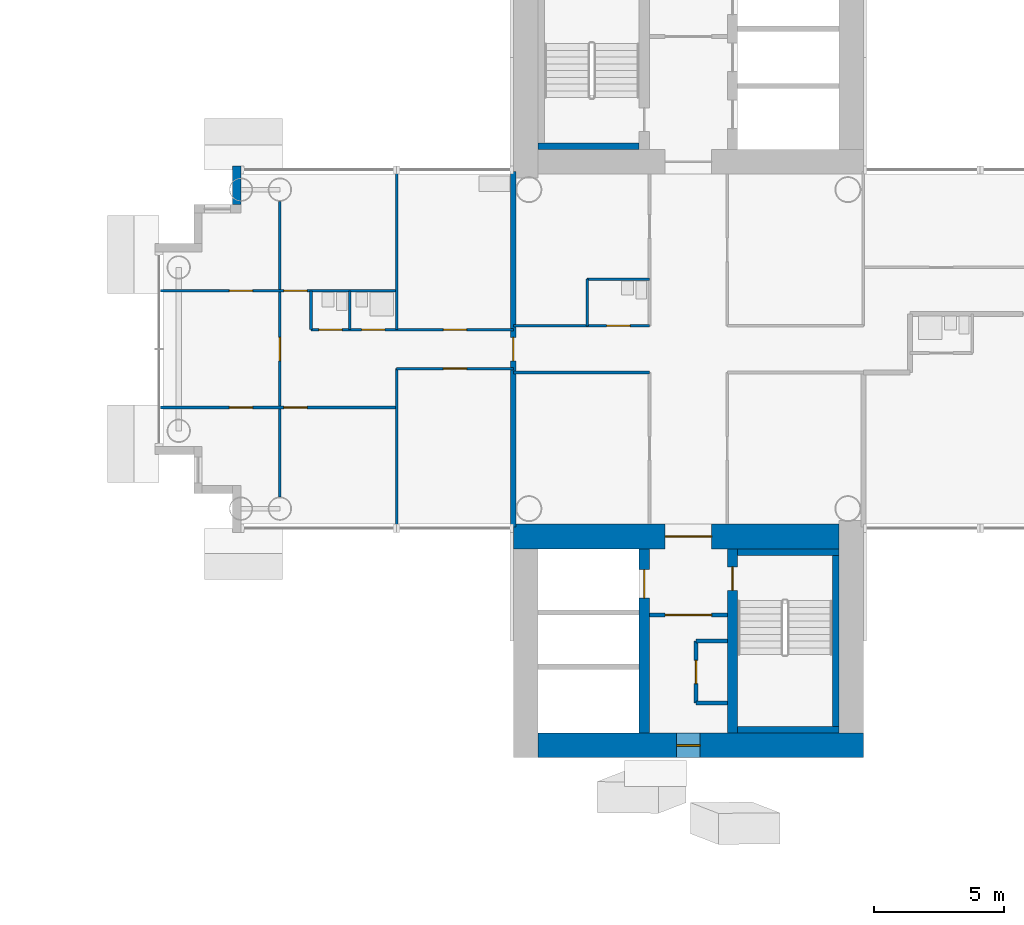
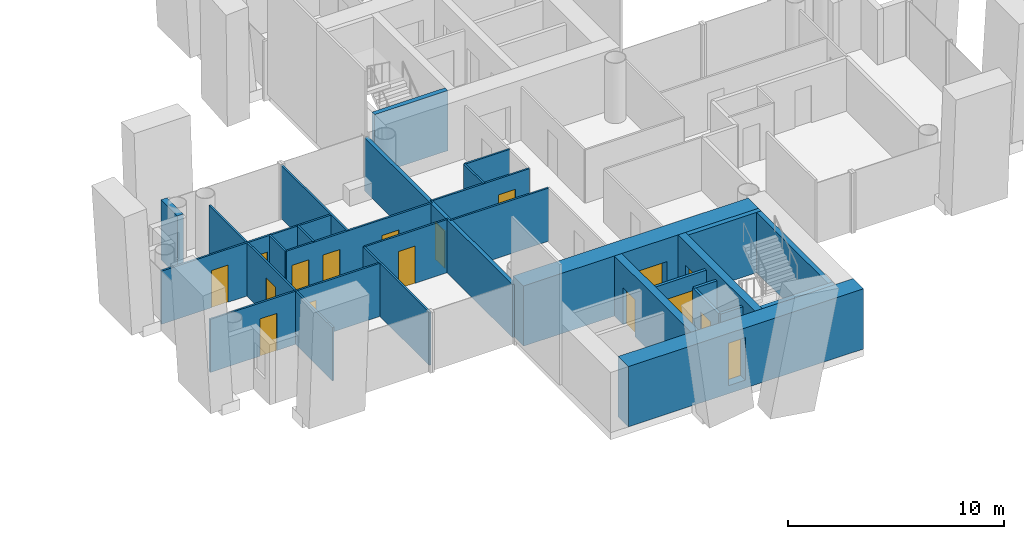
# One storey, part 12 of 21: 27 walls, 16 doors, 1 window, 17 openings.
"""IFC4 building model written with IfcOpenShell, lengths in metres."""

from ifc_helpers import new_model, si_unit, direction, frame, frame_2d, origin, place, context, subcontext, project, spatial, rectangle, extrude, material, layer, layer_set, type_object, element, fill, save


model = new_model("IFC4")

# Units and contexts
model_context = context("Model", 3, precision=1e-05, world=origin(), true_north=direction((0.0, 1.0)))
body_context = subcontext(model_context, "Body", "Model", "MODEL_VIEW")
ifc_project = project(units=[si_unit("LENGTHUNIT", "METRE"), si_unit("AREAUNIT", "SQUARE_METRE"), si_unit("VOLUMEUNIT", "CUBIC_METRE"), si_unit("PLANEANGLEUNIT", "RADIAN"), si_unit("MASSUNIT", "GRAM", prefix="KILO")], contexts=[model_context])

# Site, building, storey
site_placement = place(None, origin())
site = spatial("IfcSite", under=ifc_project, at=site_placement, CompositionType="ELEMENT")
building_placement = place(site_placement, origin())
building = spatial("IfcBuilding", under=site, at=building_placement, Name="Ipe Terrace Towers", CompositionType="ELEMENT")
storey_placement = place(building_placement, frame((0.0, 0.0, 107.199951171875)))
storey = spatial("IfcBuildingStorey", under=building, at=storey_placement, Name="L29", CompositionType="ELEMENT", Elevation=107.199951171875)

# Wall
ifc_material_1 = material(Name="Concrete C40/50 with buff precast cladding", Category="concrete")
ifc_layer_1 = layer(ifc_material_1, 0.320068359375)
ifc_layer_set_1 = layer_set([ifc_layer_1], Name="BUFF CLADDING WALL 320")
wall_type_1 = type_object("IfcWallType", Name="BUFF CLADDING WALL 320", PredefinedType="STANDARD", material=ifc_layer_set_1)
wall_1_placement = place(storey_placement, frame((18.590087890625, 7.070068359375, -0.300048828125), z_axis=(0.0, 0.0, 1.0), x_axis=(0.0, -1.0, 0.0)))
element("IfcWall", 1, at=wall_1_placement, inside=storey, type_object=wall_type_1, Name="T2-W-L29-30a wall", PredefinedType="STANDARD", context=body_context, shape_type="SweptSolid", body=[
    extrude(rectangle(XDim=1.5, YDim=0.320068359375, at=frame_2d((0.75, 0.0))), origin(), (0.0, 0.0, 1.0), 3.400146484375),
])

# Wall, openings, doors
ifc_material_2 = material(Name="Gypsum board partition", Category="plasterboard")
ifc_layer_2 = layer(ifc_material_2, 0.10009765625)
ifc_layer_set_2 = layer_set([ifc_layer_2], Name="Gypsum board partition 100 mm")
wall_type_2 = type_object("IfcWallType", Name="Gypsum board partition 100 mm", PredefinedType="PARTITIONING", material=ifc_layer_set_2)
wall_2_placement = place(storey_placement, frame((24.75, -2.25, 0.0), z_axis=(0.0, 0.0, 1.0), x_axis=(-1.0, 0.0, 0.0)))
wall_2 = element("IfcWall", 2, at=wall_2_placement, inside=storey, type_object=wall_type_2, Name="Gypsum board partition T2 L29 W01", PredefinedType="PARTITIONING", context=body_context, shape_type="SweptSolid", body=[
    extrude(rectangle(XDim=9.10009765625, YDim=0.10009765625, at=frame_2d((4.550048828125, 0.0))), origin(), (0.0, 0.0, 1.0), 3.0),
])
opening_1_placement = place(wall_2_placement, frame((3.449951171875, 0.0, 0.0)))
opening_1 = element("IfcOpeningElement", 3, at=opening_1_placement, cuts=wall_2, Name="Opening T2-Z2F-11", PredefinedType="OPENING", context=body_context, shape_type="SweptSolid", body=[
    extrude(rectangle(XDim=0.89990234375, YDim=2.10009765625, at=frame_2d((0.449951171875, 1.050048828125))), frame((0.0, 0.06005859375, 0.0), z_axis=(0.0, -1.0, 0.0), x_axis=(1.0, 0.0, 0.0)), (0.0, 0.0, 1.0), 0.1201171875),
])
opening_2_placement = place(wall_2_placement, frame((5.550048828125, 0.0, 0.0)))
opening_2 = element("IfcOpeningElement", 4, at=opening_2_placement, cuts=wall_2, Name="Opening T2-Z2F-14", PredefinedType="OPENING", context=body_context, shape_type="SweptSolid", body=[
    extrude(rectangle(XDim=0.89990234375, YDim=2.10009765625, at=frame_2d((0.449951171875, 1.050048828125))), frame((0.0, 0.06005859375, 0.0), z_axis=(0.0, -1.0, 0.0), x_axis=(1.0, 0.0, 0.0)), (0.0, 0.0, 1.0), 0.1201171875),
])
ifc_material_3 = material(Name="Timber door leaf", Category="wood")
door_type_1 = type_object("IfcDoorType", Name="Bedroom door 900 x 2100", OperationType="NOTDEFINED", PredefinedType="DOOR", material=ifc_material_3)
door_1_placement = place(opening_1_placement, origin())
door_1 = element("IfcDoor", 5, at=door_1_placement, inside=storey, type_object=door_type_1, Name="Bedroom door T2-Z2F-11", OperationType="SINGLE_SWING_RIGHT", OverallHeight=2.10009765625, OverallWidth=0.89990234375, PredefinedType="DOOR", context=body_context, shape_type="SweptSolid", body=[
    extrude(rectangle(XDim=0.89990234375, YDim=2.10009765625, at=frame_2d((0.449951171875, 1.050048828125))), frame((0.0, 0.02490234375, 0.0), z_axis=(0.0, -1.0, 0.0), x_axis=(1.0, 0.0, 0.0)), (0.0, 0.0, 1.0), 0.050048828125),
])
fill(opening_1, door_1)
door_2_placement = place(opening_2_placement, origin())
door_2 = element("IfcDoor", 6, at=door_2_placement, inside=storey, type_object=door_type_1, Name="Bedroom door T2-Z2F-14", OperationType="SINGLE_SWING_LEFT", OverallHeight=2.10009765625, OverallWidth=0.89990234375, PredefinedType="DOOR", context=body_context, shape_type="SweptSolid", body=[
    extrude(rectangle(XDim=0.89990234375, YDim=2.10009765625, at=frame_2d((0.449951171875, 1.050048828125))), frame((0.0, 0.02490234375, 0.0), z_axis=(0.0, -1.0, 0.0), x_axis=(1.0, 0.0, 0.0)), (0.0, 0.0, 1.0), 0.050048828125),
])
fill(opening_2, door_2)

# Wall
wall_3_placement = place(storey_placement, frame((34.5, -0.89990234375, 0.0), z_axis=(0.0, 0.0, 1.0), x_axis=(-1.0, 0.0, 0.0)))
element("IfcWall", 7, at=wall_3_placement, inside=storey, type_object=wall_type_2, Name="Gypsum board partition T2 L29 W03", PredefinedType="PARTITIONING", context=body_context, shape_type="SweptSolid", body=[
    extrude(rectangle(XDim=5.25, YDim=0.10009765625, at=frame_2d((2.625, 0.0))), origin(), (0.0, 0.0, 1.0), 3.0),
])

# Wall, opening, door
wall_4_placement = place(storey_placement, frame((29.25, -0.75, 0.0), z_axis=(0.0, 0.0, 1.0), x_axis=(-1.0, 0.0, 0.0)))
wall_4 = element("IfcWall", 8, at=wall_4_placement, inside=storey, type_object=wall_type_2, Name="Gypsum board partition T2 L29 W05", PredefinedType="PARTITIONING", context=body_context, shape_type="SweptSolid", body=[
    extrude(rectangle(XDim=4.5, YDim=0.10009765625, at=frame_2d((2.25, 0.0))), origin(), (0.0, 0.0, 1.0), 3.0),
])
opening_3_placement = place(wall_4_placement, frame((1.800048828125, 0.0, 0.0)))
opening_3 = element("IfcOpeningElement", 9, at=opening_3_placement, cuts=wall_4, Name="Opening T2-Z2F-06", PredefinedType="OPENING", context=body_context, shape_type="SweptSolid", body=[
    extrude(rectangle(XDim=0.89990234375, YDim=2.10009765625, at=frame_2d((0.449951171875, 1.050048828125))), frame((0.0, 0.06005859375, 0.0), z_axis=(0.0, -1.0, 0.0), x_axis=(1.0, 0.0, 0.0)), (0.0, 0.0, 1.0), 0.1201171875),
])
ifc_material_4 = material(Name="Timber door leaf", Category="wood")
door_type_2 = type_object("IfcDoorType", Name="Lounge door 900 x 2100", OperationType="NOTDEFINED", PredefinedType="DOOR", material=ifc_material_4)
door_3_placement = place(opening_3_placement, origin())
door_3 = element("IfcDoor", 10, at=door_3_placement, inside=storey, type_object=door_type_2, Name="Lounge door T2-Z2F-06", OperationType="SINGLE_SWING_LEFT", OverallHeight=2.10009765625, OverallWidth=0.89990234375, PredefinedType="DOOR", context=body_context, shape_type="SweptSolid", body=[
    extrude(rectangle(XDim=0.89990234375, YDim=2.10009765625, at=frame_2d((0.449951171875, 1.050048828125))), frame((0.0, 0.02490234375, 0.0), z_axis=(0.0, -1.0, 0.0), x_axis=(1.0, 0.0, 0.0)), (0.0, 0.0, 1.0), 0.050048828125),
])
fill(opening_3, door_3)

# Wall, openings, doors
wall_5_placement = place(storey_placement, frame((29.25, 0.75, 0.0), z_axis=(0.0, 0.0, 1.0), x_axis=(-1.0, 0.0, 0.0)))
wall_5 = element("IfcWall", 11, at=wall_5_placement, inside=storey, type_object=wall_type_2, Name="Gypsum board partition T2 L29 W07", PredefinedType="PARTITIONING", context=body_context, shape_type="SweptSolid", body=[
    extrude(rectangle(XDim=7.800048828125, YDim=0.10009765625, at=frame_2d((3.89990234375, 0.0))), origin(), (0.0, 0.0, 1.0), 3.0),
])
opening_4_placement = place(wall_5_placement, frame((1.800048828125, 0.0, 0.0)))
opening_4 = element("IfcOpeningElement", 12, at=opening_4_placement, cuts=wall_5, Name="Opening T2-Z2F-07", PredefinedType="OPENING", context=body_context, shape_type="SweptSolid", body=[
    extrude(rectangle(XDim=0.89990234375, YDim=2.10009765625, at=frame_2d((0.449951171875, 1.050048828125))), frame((0.0, 0.06005859375, 0.0), z_axis=(0.0, -1.0, 0.0), x_axis=(1.0, 0.0, 0.0)), (0.0, 0.0, 1.0), 0.1201171875),
])
opening_5_placement = place(wall_5_placement, frame((4.949951171875, 0.0, 0.0)))
opening_5 = element("IfcOpeningElement", 13, at=opening_5_placement, cuts=wall_5, Name="Opening T2-Z2F-09", PredefinedType="OPENING", context=body_context, shape_type="SweptSolid", body=[
    extrude(rectangle(XDim=0.89990234375, YDim=2.10009765625, at=frame_2d((0.449951171875, 1.050048828125))), frame((0.0, 0.06005859375, 0.0), z_axis=(0.0, -1.0, 0.0), x_axis=(1.0, 0.0, 0.0)), (0.0, 0.0, 1.0), 0.1201171875),
])
opening_6_placement = place(wall_5_placement, frame((6.60009765625, 0.0, 0.0)))
opening_6 = element("IfcOpeningElement", 14, at=opening_6_placement, cuts=wall_5, Name="Opening T2-Z2F-10", PredefinedType="OPENING", context=body_context, shape_type="SweptSolid", body=[
    extrude(rectangle(XDim=0.89990234375, YDim=2.10009765625, at=frame_2d((0.449951171875, 1.050048828125))), frame((0.0, 0.06005859375, 0.0), z_axis=(0.0, -1.0, 0.0), x_axis=(1.0, 0.0, 0.0)), (0.0, 0.0, 1.0), 0.1201171875),
])
ifc_material_5 = material(Name="Timber door leaf", Category="wood")
door_type_3 = type_object("IfcDoorType", Name="Bathroom door 900 x 2100", OperationType="NOTDEFINED", PredefinedType="DOOR", material=ifc_material_5)
door_4_placement = place(opening_5_placement, origin())
door_4 = element("IfcDoor", 15, at=door_4_placement, inside=storey, type_object=door_type_3, Name="Bathroom door T2-Z2F-09", OperationType="SINGLE_SWING_RIGHT", OverallHeight=2.10009765625, OverallWidth=0.89990234375, PredefinedType="DOOR", context=body_context, shape_type="SweptSolid", body=[
    extrude(rectangle(XDim=0.89990234375, YDim=2.10009765625, at=frame_2d((0.449951171875, 1.050048828125))), frame((0.0, 0.02490234375, 0.0), z_axis=(0.0, -1.0, 0.0), x_axis=(1.0, 0.0, 0.0)), (0.0, 0.0, 1.0), 0.050048828125),
])
fill(opening_5, door_4)
door_5_placement = place(opening_6_placement, origin())
door_5 = element("IfcDoor", 16, at=door_5_placement, inside=storey, type_object=door_type_3, Name="Bathroom door T2-Z2F-10", OperationType="SINGLE_SWING_RIGHT", OverallHeight=2.10009765625, OverallWidth=0.89990234375, PredefinedType="DOOR", context=body_context, shape_type="SweptSolid", body=[
    extrude(rectangle(XDim=0.89990234375, YDim=2.10009765625, at=frame_2d((0.449951171875, 1.050048828125))), frame((0.0, 0.02490234375, 0.0), z_axis=(0.0, -1.0, 0.0), x_axis=(1.0, 0.0, 0.0)), (0.0, 0.0, 1.0), 0.050048828125),
])
fill(opening_6, door_5)
door_6_placement = place(opening_4_placement, origin())
door_6 = element("IfcDoor", 17, at=door_6_placement, inside=storey, type_object=door_type_2, Name="Lounge door T2-Z2F-07", OperationType="SINGLE_SWING_LEFT", OverallHeight=2.10009765625, OverallWidth=0.89990234375, PredefinedType="DOOR", context=body_context, shape_type="SweptSolid", body=[
    extrude(rectangle(XDim=0.89990234375, YDim=2.10009765625, at=frame_2d((0.449951171875, 1.050048828125))), frame((0.0, 0.02490234375, 0.0), z_axis=(0.0, -1.0, 0.0), x_axis=(1.0, 0.0, 0.0)), (0.0, 0.0, 1.0), 0.050048828125),
])
fill(opening_4, door_6)

# Wall, opening, door
wall_6_placement = place(storey_placement, frame((34.5, 0.89990234375, 0.0), z_axis=(0.0, 0.0, 1.0), x_axis=(-1.0, 0.0, 0.0)))
wall_6 = element("IfcWall", 18, at=wall_6_placement, inside=storey, type_object=wall_type_2, Name="Gypsum board partition T2 L29 W09", PredefinedType="PARTITIONING", context=body_context, shape_type="SweptSolid", body=[
    extrude(rectangle(XDim=5.25, YDim=0.10009765625, at=frame_2d((2.625, 0.0))), origin(), (0.0, 0.0, 1.0), 3.0),
])
opening_7_placement = place(wall_6_placement, frame((0.75, 0.0, 0.0)))
opening_7 = element("IfcOpeningElement", 19, at=opening_7_placement, cuts=wall_6, Name="Opening T2-Z2F-01", PredefinedType="OPENING", context=body_context, shape_type="SweptSolid", body=[
    extrude(rectangle(XDim=0.89990234375, YDim=2.10009765625, at=frame_2d((0.449951171875, 1.050048828125))), frame((0.0, 0.06005859375, 0.0), z_axis=(0.0, -1.0, 0.0), x_axis=(1.0, 0.0, 0.0)), (0.0, 0.0, 1.0), 0.1201171875),
])
door_7_placement = place(opening_7_placement, origin())
door_7 = element("IfcDoor", 20, at=door_7_placement, inside=storey, type_object=door_type_3, Name="Bathroom door T2-Z2F-01", OperationType="SINGLE_SWING_LEFT", OverallHeight=2.10009765625, OverallWidth=0.89990234375, PredefinedType="DOOR", context=body_context, shape_type="SweptSolid", body=[
    extrude(rectangle(XDim=0.89990234375, YDim=2.10009765625, at=frame_2d((0.449951171875, 1.050048828125))), frame((0.0, 0.02490234375, 0.0), z_axis=(0.0, -1.0, 0.0), x_axis=(1.0, 0.0, 0.0)), (0.0, 0.0, 1.0), 0.050048828125),
])
fill(opening_7, door_7)

# Wall, openings, doors
wall_7_placement = place(storey_placement, frame((24.75, 2.25, 0.0), z_axis=(0.0, 0.0, 1.0), x_axis=(-1.0, 0.0, 0.0)))
wall_7 = element("IfcWall", 21, at=wall_7_placement, inside=storey, type_object=wall_type_2, Name="Gypsum board partition T2 L29 W11", PredefinedType="PARTITIONING", context=body_context, shape_type="SweptSolid", body=[
    extrude(rectangle(XDim=9.10009765625, YDim=0.10009765625, at=frame_2d((4.550048828125, 0.0))), origin(), (0.0, 0.0, 1.0), 3.0),
])
opening_8_placement = place(wall_7_placement, frame((3.449951171875, 0.0, 0.0)))
opening_8 = element("IfcOpeningElement", 22, at=opening_8_placement, cuts=wall_7, Name="Opening T2-Z2F-12", PredefinedType="OPENING", context=body_context, shape_type="SweptSolid", body=[
    extrude(rectangle(XDim=0.89990234375, YDim=2.10009765625, at=frame_2d((0.449951171875, 1.050048828125))), frame((0.0, 0.06005859375, 0.0), z_axis=(0.0, -1.0, 0.0), x_axis=(1.0, 0.0, 0.0)), (0.0, 0.0, 1.0), 0.1201171875),
])
opening_9_placement = place(wall_7_placement, frame((5.550048828125, 0.0, 0.0)))
opening_9 = element("IfcOpeningElement", 23, at=opening_9_placement, cuts=wall_7, Name="Opening T2-Z2F-15", PredefinedType="OPENING", context=body_context, shape_type="SweptSolid", body=[
    extrude(rectangle(XDim=0.89990234375, YDim=2.10009765625, at=frame_2d((0.449951171875, 1.050048828125))), frame((0.0, 0.06005859375, 0.0), z_axis=(0.0, -1.0, 0.0), x_axis=(1.0, 0.0, 0.0)), (0.0, 0.0, 1.0), 0.1201171875),
])
door_8_placement = place(opening_8_placement, origin())
door_8 = element("IfcDoor", 24, at=door_8_placement, inside=storey, type_object=door_type_1, Name="Bedroom door T2-Z2F-12", OperationType="SINGLE_SWING_LEFT", OverallHeight=2.10009765625, OverallWidth=0.89990234375, PredefinedType="DOOR", context=body_context, shape_type="SweptSolid", body=[
    extrude(rectangle(XDim=0.89990234375, YDim=2.10009765625, at=frame_2d((0.449951171875, 1.050048828125))), frame((0.0, 0.02490234375, 0.0), z_axis=(0.0, -1.0, 0.0), x_axis=(1.0, 0.0, 0.0)), (0.0, 0.0, 1.0), 0.050048828125),
])
fill(opening_8, door_8)
door_9_placement = place(opening_9_placement, origin())
door_9 = element("IfcDoor", 25, at=door_9_placement, inside=storey, type_object=door_type_1, Name="Bedroom door T2-Z2F-15", OperationType="SINGLE_SWING_RIGHT", OverallHeight=2.10009765625, OverallWidth=0.89990234375, PredefinedType="DOOR", context=body_context, shape_type="SweptSolid", body=[
    extrude(rectangle(XDim=0.89990234375, YDim=2.10009765625, at=frame_2d((0.449951171875, 1.050048828125))), frame((0.0, 0.02490234375, 0.0), z_axis=(0.0, -1.0, 0.0), x_axis=(1.0, 0.0, 0.0)), (0.0, 0.0, 1.0), 0.050048828125),
])
fill(opening_9, door_9)

# Walls
wall_8_placement = place(storey_placement, frame((34.5, 2.699951171875, 0.0), z_axis=(0.0, 0.0, 1.0), x_axis=(-1.0, 0.0, 0.0)))
element("IfcWall", 26, at=wall_8_placement, inside=storey, type_object=wall_type_2, Name="Gypsum board partition T2 L29 W12", PredefinedType="PARTITIONING", context=body_context, shape_type="SweptSolid", body=[
    extrude(rectangle(XDim=2.39990234375, YDim=0.10009765625, at=frame_2d((1.199951171875, 0.0))), origin(), (0.0, 0.0, 1.0), 3.0),
])
wall_9_placement = place(storey_placement, frame((32.10009765625, 0.89990234375, 0.0), z_axis=(0.0, 0.0, 1.0), x_axis=(0.0, 1.0, 0.0)))
element("IfcWall", 27, at=wall_9_placement, inside=storey, type_object=wall_type_2, Name="Gypsum board partition T2 L29 W33", PredefinedType="PARTITIONING", context=body_context, shape_type="SweptSolid", body=[
    extrude(rectangle(XDim=1.800048828125, YDim=0.10009765625, at=frame_2d((0.89990234375, 0.0))), origin(), (0.0, 0.0, 1.0), 3.0),
])
for number, where, z_axis, x_axis, name in (
    (28, (24.75, -6.85009765625, 0.0), (0.0, 0.0, 1.0), (0.0, 1.0, 0.0), "Gypsum board partition T2 L29 W35"),
    (29, (24.75, 0.75, 0.0), (0.0, 0.0, 1.0), (0.0, 1.0, 0.0), "Gypsum board partition T2 L29 W36"),
):
    element("IfcWall", number, at=place(storey_placement, frame(where, z_axis=z_axis, x_axis=x_axis)), inside=storey, type_object=wall_type_2, Name=name, PredefinedType="PARTITIONING", context=body_context, shape_type="SweptSolid", body=[
        extrude(rectangle(XDim=6.10009765625, YDim=0.10009765625, at=frame_2d((3.050048828125, 0.0))), origin(), (0.0, 0.0, 1.0), 3.0),
    ])
for number, where, z_axis, x_axis, name in (
    (30, (22.949951171875, 0.75, 0.0), (0.0, 0.0, 1.0), (0.0, 1.0, 0.0), "Gypsum board partition T2 L29 W37"),
    (31, (21.449951171875, 0.75, 0.0), (0.0, 0.0, 1.0), (0.0, 1.0, 0.0), "Gypsum board partition T2 L29 W38"),
):
    element("IfcWall", number, at=place(storey_placement, frame(where, z_axis=z_axis, x_axis=x_axis)), inside=storey, type_object=wall_type_2, Name=name, PredefinedType="PARTITIONING", context=body_context, shape_type="SweptSolid", body=[
        extrude(rectangle(XDim=1.5, YDim=0.10009765625, at=frame_2d((0.75, 0.0))), origin(), (0.0, 0.0, 1.0), 3.0),
    ])

# Wall, opening, door
wall_10_placement = place(storey_placement, frame((20.25, -5.699951171875, 0.0), z_axis=(0.0, 0.0, 1.0), x_axis=(0.0, 1.0, 0.0)))
wall_10 = element("IfcWall", 32, at=wall_10_placement, inside=storey, type_object=wall_type_2, Name="Gypsum board partition T2 L29 W39", PredefinedType="PARTITIONING", context=body_context, shape_type="SweptSolid", body=[
    extrude(rectangle(XDim=11.39990234375, YDim=0.10009765625, at=frame_2d((5.699951171875, 0.0))), origin(), (0.0, 0.0, 1.0), 3.0),
])
opening_10_placement = place(wall_10_placement, frame((5.25, 0.0, 0.0)))
opening_10 = element("IfcOpeningElement", 33, at=opening_10_placement, cuts=wall_10, Name="Opening T2-Z2F-13", PredefinedType="OPENING", context=body_context, shape_type="SweptSolid", body=[
    extrude(rectangle(XDim=0.89990234375, YDim=2.10009765625, at=frame_2d((0.449951171875, 1.050048828125))), frame((0.0, 0.06005859375, 0.0), z_axis=(0.0, -1.0, 0.0), x_axis=(1.0, 0.0, 0.0)), (0.0, 0.0, 1.0), 0.1201171875),
])
door_10_placement = place(opening_10_placement, origin())
door_10 = element("IfcDoor", 34, at=door_10_placement, inside=storey, type_object=door_type_2, Name="Lounge door T2-Z2F-13", OperationType="SINGLE_SWING_LEFT", OverallHeight=2.10009765625, OverallWidth=0.89990234375, PredefinedType="DOOR", context=body_context, shape_type="SweptSolid", body=[
    extrude(rectangle(XDim=0.89990234375, YDim=2.10009765625, at=frame_2d((0.449951171875, 1.050048828125))), frame((0.0, 0.02490234375, 0.0), z_axis=(0.0, -1.0, 0.0), x_axis=(1.0, 0.0, 0.0)), (0.0, 0.0, 1.0), 0.050048828125),
])
fill(opening_10, door_10)

ifc_material_6 = material(Name="Gypsum board partition", Category="plasterboard")
ifc_layer_3 = layer(ifc_material_6, 0.14990234375)
ifc_layer_set_3 = layer_set([ifc_layer_3], Name="Gypsum board partition 150 mm")
wall_type_3 = type_object("IfcWallType", Name="Gypsum board partition 150 mm", PredefinedType="PARTITIONING", material=ifc_layer_set_3)
wall_11_placement = place(storey_placement, frame((34.5, -10.25, 0.0), z_axis=(0.0, 0.0, 1.0), x_axis=(1.0, 0.0, 0.0)))
wall_11 = element("IfcWall", 35, at=wall_11_placement, inside=storey, type_object=wall_type_3, Name="Gypsum board partition T2 L29 t2c2-lobby-wall", PredefinedType="PARTITIONING", context=body_context, shape_type="SweptSolid", body=[
    extrude(rectangle(XDim=3.0, YDim=0.14990234375, at=frame_2d((1.5, 0.0))), origin(), (0.0, 0.0, 1.0), 3.0),
])
opening_11_placement = place(wall_11_placement, frame((0.60009765625, 0.0, 0.0)))
opening_11 = element("IfcOpeningElement", 36, at=opening_11_placement, cuts=wall_11, Name="Opening T2C2-VD", PredefinedType="OPENING", context=body_context, shape_type="SweptSolid", body=[
    extrude(rectangle(XDim=1.800048828125, YDim=2.10009765625, at=frame_2d((0.89990234375, 1.050048828125))), frame((0.0, 0.0849609375, 0.0), z_axis=(0.0, -1.0, 0.0), x_axis=(1.0, 0.0, 0.0)), (0.0, 0.0, 1.0), 0.169921875),
])
ifc_material_7 = material(Name="Fire-rated timber door leaf", Category="wood")
door_type_4 = type_object("IfcDoorType", Name="Lobby door 1800 x 2100 FD60", OperationType="NOTDEFINED", PredefinedType="DOOR", material=ifc_material_7)
door_11_placement = place(opening_11_placement, origin())
door_11 = element("IfcDoor", 37, at=door_11_placement, inside=storey, type_object=door_type_4, Name="Lobby door T2C2-VD", OperationType="SINGLE_SWING_LEFT", OverallHeight=2.10009765625, OverallWidth=1.800048828125, PredefinedType="DOOR", context=body_context, shape_type="SweptSolid", body=[
    extrude(rectangle(XDim=1.800048828125, YDim=2.10009765625, at=frame_2d((0.89990234375, 1.050048828125))), frame((0.0, 0.02490234375, 0.0), z_axis=(0.0, -1.0, 0.0), x_axis=(1.0, 0.0, 0.0)), (0.0, 0.0, 1.0), 0.050048828125),
])
fill(opening_11, door_11)

wall_12_placement = place(storey_placement, frame((36.300048828125, -11.25, 0.0), z_axis=(0.0, 0.0, 1.0), x_axis=(0.0, -1.0, 0.0)))
wall_12 = element("IfcWall", 38, at=wall_12_placement, inside=storey, type_object=wall_type_3, Name="Gypsum board partition T2 L29 t2c2-cup-n-f", PredefinedType="PARTITIONING", context=body_context, shape_type="SweptSolid", body=[
    extrude(rectangle(XDim=2.39990234375, YDim=0.14990234375, at=frame_2d((1.199951171875, 0.0))), origin(), (0.0, 0.0, 1.0), 3.0),
])
opening_12_placement = place(wall_12_placement, frame((0.75, 0.0, 0.0)))
opening_12 = element("IfcOpeningElement", 39, at=opening_12_placement, cuts=wall_12, Name="Opening T2C2-SR", PredefinedType="OPENING", context=body_context, shape_type="SweptSolid", body=[
    extrude(rectangle(XDim=0.89990234375, YDim=2.10009765625, at=frame_2d((0.449951171875, 1.050048828125))), frame((0.0, 0.0849609375, 0.0), z_axis=(0.0, -1.0, 0.0), x_axis=(1.0, 0.0, 0.0)), (0.0, 0.0, 1.0), 0.169921875),
])
ifc_material_8 = material(Name="Fire-rated timber door leaf", Category="wood")
door_type_5 = type_object("IfcDoorType", Name="Service door 900 x 2100 FD60", OperationType="NOTDEFINED", PredefinedType="DOOR", material=ifc_material_8)
door_12_placement = place(opening_12_placement, origin())
door_12 = element("IfcDoor", 40, at=door_12_placement, inside=storey, type_object=door_type_5, Name="Service door T2C2-SR", OperationType="SINGLE_SWING_LEFT", OverallHeight=2.10009765625, OverallWidth=0.89990234375, PredefinedType="DOOR", context=body_context, shape_type="SweptSolid", body=[
    extrude(rectangle(XDim=0.89990234375, YDim=2.10009765625, at=frame_2d((0.449951171875, 1.050048828125))), frame((0.0, 0.02490234375, 0.0), z_axis=(0.0, -1.0, 0.0), x_axis=(1.0, 0.0, 0.0)), (0.0, 0.0, 1.0), 0.050048828125),
])
fill(opening_12, door_12)

# Walls
for number, where, z_axis, x_axis, name in (
    (41, (36.300048828125, -11.25, 0.0), (0.0, 0.0, 1.0), (1.0, 0.0, 0.0), "Gypsum board partition T2 L29 t2c2-cup-n-a"),
    (42, (36.300048828125, -13.64990234375, 0.0), (0.0, 0.0, 1.0), (1.0, 0.0, 0.0), "Gypsum board partition T2 L29 t2c2-cup-n-b"),
):
    element("IfcWall", number, at=place(storey_placement, frame(where, z_axis=z_axis, x_axis=x_axis)), inside=storey, type_object=wall_type_3, Name=name, PredefinedType="PARTITIONING", context=body_context, shape_type="SweptSolid", body=[
        extrude(rectangle(XDim=1.199951171875, YDim=0.14990234375, at=frame_2d((0.60009765625, 0.0))), origin(), (0.0, 0.0, 1.0), 3.0),
    ])

# Wall, opening, door
ifc_material_9 = material(Name="Gypsum board party wall", Category="plasterboard")
ifc_layer_4 = layer(ifc_material_9, 0.199951171875)
ifc_layer_set_4 = layer_set([ifc_layer_4], Name="Gypsum board party wall 200 mm")
wall_type_4 = type_object("IfcWallType", Name="Gypsum board party wall 200 mm", PredefinedType="SOLIDWALL", material=ifc_layer_set_4)
wall_13_placement = place(storey_placement, frame((29.25, -6.85009765625, 0.0), z_axis=(0.0, 0.0, 1.0), x_axis=(0.0, 1.0, 0.0)))
wall_13 = element("IfcWall", 43, at=wall_13_placement, inside=storey, type_object=wall_type_4, Name="Gypsum board party wall T2 L29 W34", PredefinedType="SOLIDWALL", context=body_context, shape_type="SweptSolid", body=[
    extrude(rectangle(XDim=13.7001953125, YDim=0.199951171875, at=frame_2d((6.85009765625, 0.0))), origin(), (0.0, 0.0, 1.0), 3.0),
])
opening_13_placement = place(wall_13_placement, frame((6.39990234375, 0.0, 0.0)))
opening_13 = element("IfcOpeningElement", 44, at=opening_13_placement, cuts=wall_13, Name="Opening T2-Z2F-08", PredefinedType="OPENING", context=body_context, shape_type="SweptSolid", body=[
    extrude(rectangle(XDim=0.89990234375, YDim=2.10009765625, at=frame_2d((0.449951171875, 1.050048828125))), frame((0.0, 0.10986328125, 0.0), z_axis=(0.0, -1.0, 0.0), x_axis=(1.0, 0.0, 0.0)), (0.0, 0.0, 1.0), 0.219970703125),
])
ifc_material_10 = material(Name="Fire-rated timber door leaf", Category="wood")
door_type_6 = type_object("IfcDoorType", Name="Flat entrance door 900 x 2100 FD30S", OperationType="NOTDEFINED", PredefinedType="DOOR", material=ifc_material_10)
door_13_placement = place(opening_13_placement, origin())
door_13 = element("IfcDoor", 45, at=door_13_placement, inside=storey, type_object=door_type_6, Name="Flat entrance door T2-Z2F-08", OperationType="SINGLE_SWING_LEFT", OverallHeight=2.10009765625, OverallWidth=0.89990234375, PredefinedType="DOOR", context=body_context, shape_type="SweptSolid", body=[
    extrude(rectangle(XDim=0.89990234375, YDim=2.10009765625, at=frame_2d((0.449951171875, 1.050048828125))), frame((0.0, 0.02490234375, 0.0), z_axis=(0.0, -1.0, 0.0), x_axis=(1.0, 0.0, 0.0)), (0.0, 0.0, 1.0), 0.050048828125),
])
fill(opening_13, door_13)

# Walls
ifc_material_11 = material(Name="Concrete C50/60", Category="concrete")
ifc_layer_5 = layer(ifc_material_11, 0.25)
ifc_layer_set_5 = layer_set([ifc_layer_5], Name="RW250 CORE INFILL WALL 250 C50-60")
wall_type_5 = type_object("IfcWallType", Name="RW250 CORE INFILL WALL 250 C50-60", PredefinedType="SHEAR", material=ifc_layer_set_5)
for number, where, z_axis, x_axis, name in (
    (46, (34.10009765625, 7.824951171875, 0.0), (0.0, 0.0, 1.0), (-1.0, 0.0, 0.0), "Core infill wall T2-C1-near"),
    (47, (37.89990234375, -14.675048828125, 0.0), (0.0, 0.0, 1.0), (1.0, 0.0, 0.0), "Core infill wall T2-C2-far"),
):
    element("IfcWall", number, at=place(storey_placement, frame(where, z_axis=z_axis, x_axis=x_axis)), inside=storey, type_object=wall_type_5, Name=name, PredefinedType="SHEAR", context=body_context, shape_type="SweptSolid", body=[
        extrude(rectangle(XDim=3.900146484375, YDim=0.25, at=frame_2d((1.9501953125, 0.0))), origin(), (0.0, 0.0, 1.0), 3.400146484375),
    ])
wall_14_placement = place(storey_placement, frame((41.675048828125, -7.949951171875, 0.0), z_axis=(0.0, 0.0, 1.0), x_axis=(0.0, -1.0, 0.0)))
element("IfcWall", 48, at=wall_14_placement, inside=storey, type_object=wall_type_5, Name="Core infill wall T2-C2-back", PredefinedType="SHEAR", context=body_context, shape_type="SweptSolid", body=[
    extrude(rectangle(XDim=6.60009765625, YDim=0.25, at=frame_2d((3.300048828125, 0.0))), origin(), (0.0, 0.0, 1.0), 3.400146484375),
])
wall_15_placement = place(storey_placement, frame((37.89990234375, -7.824951171875, 0.0), z_axis=(0.0, 0.0, 1.0), x_axis=(1.0, 0.0, 0.0)))
element("IfcWall", 49, at=wall_15_placement, inside=storey, type_object=wall_type_5, Name="Core infill wall T2-C2-near", PredefinedType="SHEAR", context=body_context, shape_type="SweptSolid", body=[
    extrude(rectangle(XDim=3.900146484375, YDim=0.25, at=frame_2d((1.9501953125, 0.0))), origin(), (0.0, 0.0, 1.0), 3.400146484375),
])

# Wall, opening, door
ifc_material_12 = material(Name="Concrete C50/60", Category="concrete")
ifc_layer_6 = layer(ifc_material_12, 0.39990234375)
ifc_layer_set_6 = layer_set([ifc_layer_6], Name="RW400 CORE SPINE WALL 400 C50-60")
wall_type_6 = type_object("IfcWallType", Name="RW400 CORE SPINE WALL 400 C50-60", PredefinedType="SHEAR", material=ifc_layer_set_6)
wall_16_placement = place(storey_placement, frame((34.300048828125, -14.800048828125, 0.0), z_axis=(0.0, 0.0, 1.0), x_axis=(0.0, 1.0, 0.0)))
wall_16 = element("IfcWall", 50, at=wall_16_placement, inside=storey, type_object=wall_type_6, Name="Core spine wall T2-C2-Z2-SW1", PredefinedType="SHEAR", context=body_context, shape_type="SweptSolid", body=[
    extrude(rectangle(XDim=7.10009765625, YDim=0.39990234375, at=frame_2d((3.550048828125, 0.0))), origin(), (0.0, 0.0, 1.0), 3.400146484375),
])
opening_14_placement = place(wall_16_placement, frame((5.199951171875, 0.0, 0.0)))
opening_14 = element("IfcOpeningElement", 51, at=opening_14_placement, cuts=wall_16, Name="Opening T2C2-LD1", PredefinedType="OPENING", context=body_context, shape_type="SweptSolid", body=[
    extrude(rectangle(XDim=1.10009765625, YDim=2.10009765625, at=frame_2d((0.550048828125, 1.050048828125))), frame((0.0, 0.2099609375, 0.0), z_axis=(0.0, -1.0, 0.0), x_axis=(1.0, 0.0, 0.0)), (0.0, 0.0, 1.0), 0.419921875),
])
ifc_material_13 = material(Name="Fire-rated timber door leaf", Category="wood")
door_type_7 = type_object("IfcDoorType", Name="Sliding door 1100 x 2100 FD60", OperationType="SLIDING_TO_LEFT", PredefinedType="DOOR", material=ifc_material_13)
door_14_placement = place(opening_14_placement, origin())
door_14 = element("IfcDoor", 52, at=door_14_placement, inside=storey, type_object=door_type_7, Name="Sliding door T2C2-LD1", OperationType="SLIDING_TO_LEFT", OverallHeight=2.10009765625, OverallWidth=1.10009765625, PredefinedType="DOOR", context=body_context, shape_type="SweptSolid", body=[
    extrude(rectangle(XDim=1.10009765625, YDim=2.10009765625, at=frame_2d((0.550048828125, 1.050048828125))), frame((0.0, 0.02490234375, 0.0), z_axis=(0.0, -1.0, 0.0), x_axis=(1.0, 0.0, 0.0)), (0.0, 0.0, 1.0), 0.050048828125),
])
fill(opening_14, door_14)

wall_17_placement = place(storey_placement, frame((37.699951171875, -14.800048828125, 0.0), z_axis=(0.0, 0.0, 1.0), x_axis=(0.0, 1.0, 0.0)))
wall_17 = element("IfcWall", 53, at=wall_17_placement, inside=storey, type_object=wall_type_6, Name="Core spine wall T2-C2-Z2-SW2", PredefinedType="SHEAR", context=body_context, shape_type="SweptSolid", body=[
    extrude(rectangle(XDim=7.10009765625, YDim=0.39990234375, at=frame_2d((3.550048828125, 0.0))), origin(), (0.0, 0.0, 1.0), 3.400146484375),
])
opening_15_placement = place(wall_17_placement, frame((5.5, 0.0, 0.0)))
opening_15 = element("IfcOpeningElement", 54, at=opening_15_placement, cuts=wall_17, Name="Opening T2C2-SD", PredefinedType="OPENING", context=body_context, shape_type="SweptSolid", body=[
    extrude(rectangle(XDim=0.89990234375, YDim=2.10009765625, at=frame_2d((0.449951171875, 1.050048828125))), frame((0.0, 0.2099609375, 0.0), z_axis=(0.0, -1.0, 0.0), x_axis=(1.0, 0.0, 0.0)), (0.0, 0.0, 1.0), 0.419921875),
])
ifc_material_14 = material(Name="Fire-rated timber door leaf", Category="wood")
door_type_8 = type_object("IfcDoorType", Name="Stair door 900 x 2100 FD60", OperationType="NOTDEFINED", PredefinedType="DOOR", material=ifc_material_14)
door_15_placement = place(opening_15_placement, origin())
door_15 = element("IfcDoor", 55, at=door_15_placement, inside=storey, type_object=door_type_8, Name="Stair door T2C2-SD", OperationType="SINGLE_SWING_RIGHT", OverallHeight=2.10009765625, OverallWidth=0.89990234375, PredefinedType="DOOR", context=body_context, shape_type="SweptSolid", body=[
    extrude(rectangle(XDim=0.89990234375, YDim=2.10009765625, at=frame_2d((0.449951171875, 1.050048828125))), frame((0.0, 0.02490234375, 0.0), z_axis=(0.0, -1.0, 0.0), x_axis=(1.0, 0.0, 0.0)), (0.0, 0.0, 1.0), 0.050048828125),
])
fill(opening_15, door_15)

# Wall, opening, window
ifc_material_15 = material(Name="Concrete C50/60", Category="concrete")
ifc_layer_7 = layer(ifc_material_15, 0.949951171875)
ifc_layer_set_7 = layer_set([ifc_layer_7], Name="RW950 CORE WALL 950 C50-60")
wall_type_7 = type_object("IfcWallType", Name="RW950 CORE WALL 950 C50-60", PredefinedType="SHEAR", material=ifc_layer_set_7)
wall_18_placement = place(storey_placement, frame((30.199951171875, -15.27490234375, 0.0), z_axis=(0.0, 0.0, 1.0), x_axis=(1.0, 0.0, 0.0)))
wall_18 = element("IfcWall", 56, at=wall_18_placement, inside=storey, type_object=wall_type_7, Name="Core wall T2-C2-Z2-W01", PredefinedType="SHEAR", context=body_context, shape_type="SweptSolid", body=[
    extrude(rectangle(XDim=12.550048828125, YDim=0.949951171875, at=frame_2d((6.27490234375, 0.0))), origin(), (0.0, 0.0, 1.0), 3.400146484375),
])
opening_16_placement = place(wall_18_placement, frame((5.35009765625, 0.0, 0.449951171875)))
opening_16 = element("IfcOpeningElement", 57, at=opening_16_placement, cuts=wall_18, Name="Opening T2-C2-W-01-L29", PredefinedType="OPENING", context=body_context, shape_type="SweptSolid", body=[
    extrude(rectangle(XDim=0.89990234375, YDim=2.39990234375, at=frame_2d((0.449951171875, 1.199951171875))), frame((0.0, 0.48486328125, 0.0), z_axis=(0.0, -1.0, 0.0), x_axis=(1.0, 0.0, 0.0)), (0.0, 0.0, 1.0), 0.969970703125),
])
ifc_material_16 = material(Name="Fire-resistant glazing EI 60", Category="glass")
window_type = type_object("IfcWindowType", Name="CORRIDOR END SLOT WINDOW 900 x 2400 EI 60", PartitioningType="SINGLE_PANEL", PredefinedType="WINDOW", material=ifc_material_16)
window_placement = place(opening_16_placement, origin())
window = element("IfcWindow", 58, at=window_placement, inside=storey, type_object=window_type, Name="W-01 window", OverallHeight=2.39990234375, OverallWidth=0.89990234375, PartitioningType="SINGLE_PANEL", PredefinedType="WINDOW", context=body_context, shape_type="SweptSolid", body=[
    extrude(rectangle(XDim=0.89990234375, YDim=2.39990234375, at=frame_2d((0.449951171875, 1.199951171875))), frame((0.0, 0.030029296875, 0.0), z_axis=(0.0, -1.0, 0.0), x_axis=(1.0, 0.0, 0.0)), (0.0, 0.0, 1.0), 0.06005859375),
])
fill(opening_16, window)

# Wall, opening, door
wall_19_placement = place(storey_placement, frame((41.800048828125, -7.22509765625, 0.0), z_axis=(0.0, 0.0, 1.0), x_axis=(-1.0, 0.0, 0.0)))
wall_19 = element("IfcWall", 59, at=wall_19_placement, inside=storey, type_object=wall_type_7, Name="Core wall T2-C2-Z2-W03", PredefinedType="SHEAR", context=body_context, shape_type="SweptSolid", body=[
    extrude(rectangle(XDim=12.550048828125, YDim=0.949951171875, at=frame_2d((6.27490234375, 0.0))), origin(), (0.0, 0.0, 1.0), 3.400146484375),
])
opening_17_placement = place(wall_19_placement, frame((4.89990234375, 0.0, 0.0)))
opening_17 = element("IfcOpeningElement", 60, at=opening_17_placement, cuts=wall_19, Name="Opening T2C2-ND", PredefinedType="OPENING", context=body_context, shape_type="SweptSolid", body=[
    extrude(rectangle(XDim=1.800048828125, YDim=2.10009765625, at=frame_2d((0.89990234375, 1.050048828125))), frame((0.0, 0.48486328125, 0.0), z_axis=(0.0, -1.0, 0.0), x_axis=(1.0, 0.0, 0.0)), (0.0, 0.0, 1.0), 0.969970703125),
])
ifc_material_17 = material(Name="Fire-rated timber door leaf", Category="wood")
door_type_9 = type_object("IfcDoorType", Name="Fire door 1800 x 2100 FD30S", OperationType="NOTDEFINED", PredefinedType="DOOR", material=ifc_material_17)
door_16_placement = place(opening_17_placement, origin())
door_16 = element("IfcDoor", 61, at=door_16_placement, inside=storey, type_object=door_type_9, Name="Fire door T2C2-ND", OperationType="SINGLE_SWING_LEFT", OverallHeight=2.10009765625, OverallWidth=1.800048828125, PredefinedType="DOOR", context=body_context, shape_type="SweptSolid", body=[
    extrude(rectangle(XDim=1.800048828125, YDim=2.10009765625, at=frame_2d((0.89990234375, 1.050048828125))), frame((0.0, 0.02490234375, 0.0), z_axis=(0.0, -1.0, 0.0), x_axis=(1.0, 0.0, 0.0)), (0.0, 0.0, 1.0), 0.050048828125),
])
fill(opening_17, door_16)

save(model, "model.ifc")
